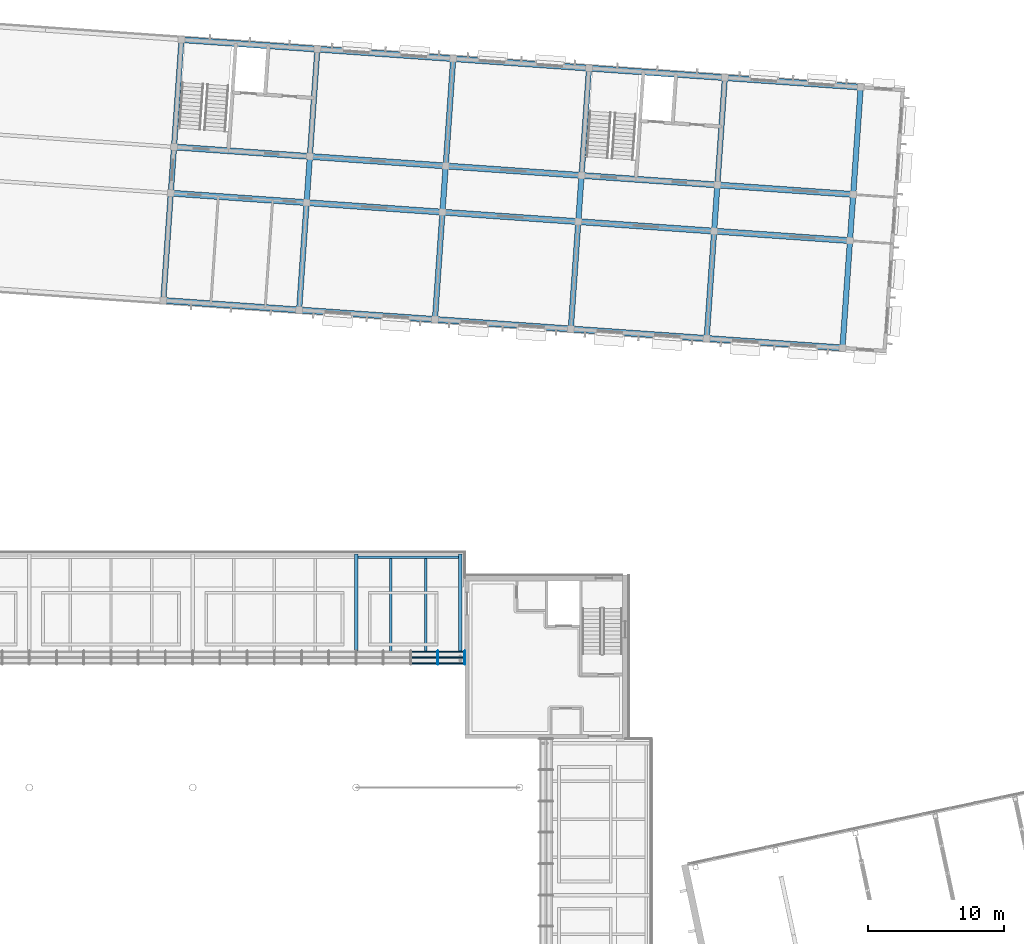
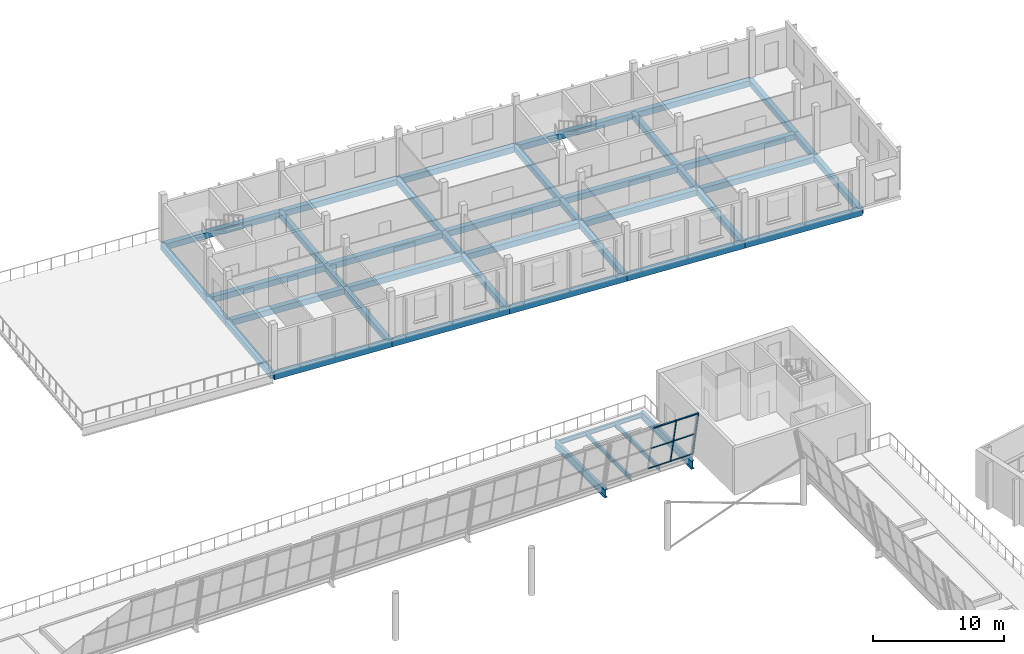
# One storey, part 22 of 58: 43 beams, 8 members, 1 element without a shape of its own.
"""IFC4 building model written with IfcOpenShell, lengths in metres."""

from ifc_helpers import new_model, si_unit, direction, frame, origin, origin_2d, place, context, subcontext, project, spatial, rectangle, i_section, extrude, material, layer, layer_set, material_profile, profile_set, type_object, element, aggregate, save


model = new_model("IFC4")

# Units and contexts
model_context = context("Model", 3, precision=1e-05, world=origin(), true_north=direction((0.0, 1.0)))
body_context = subcontext(model_context, "Body", "Model", "MODEL_VIEW")
ifc_project = project(units=[si_unit("LENGTHUNIT", "METRE"), si_unit("AREAUNIT", "SQUARE_METRE"), si_unit("VOLUMEUNIT", "CUBIC_METRE"), si_unit("PLANEANGLEUNIT", "RADIAN"), si_unit("MASSUNIT", "GRAM", prefix="KILO")], contexts=[model_context])

# Site, building, storey
site_placement = place(None, origin())
site = spatial("IfcSite", under=ifc_project, at=site_placement, CompositionType="ELEMENT")
building_placement = place(site_placement, origin())
building = spatial("IfcBuilding", under=site, at=building_placement, Name="Windward Yard Aquatics Centre", CompositionType="ELEMENT")
storey_placement = place(building_placement, frame((0.0, 0.0, 13.800048828125)))
storey = spatial("IfcBuildingStorey", under=building, at=storey_placement, Name="L03", CompositionType="ELEMENT", Elevation=13.800048828125)

# Curtain wall, members
ifc_material_1 = material(Name="Glass and aluminium curtain wall", Category="aluminium")
ifc_layer = layer(ifc_material_1, 0.179931640625)
ifc_layer_set = layer_set([ifc_layer], Name="H curtain wall tier 2 double glazed 6+16+6")
curtain_wall_type = type_object("IfcCurtainWallType", Name="H curtain wall tier 2 double glazed 6+16+6", PredefinedType="NOTDEFINED", material=ifc_layer_set)
curtain_wall_placement = place(storey_placement, origin())
curtain_wall = element("IfcCurtainWall", 1, at=curtain_wall_placement, inside=storey, type_object=curtain_wall_type, Name="Tier 2 glazing N L03", PredefinedType="NOTDEFINED")
ifc_material_2 = material(Name="Aluminium 6063-T6 anodised", Category="aluminium")
ifc_material_profile_1 = material_profile(ifc_material_2, rectangle(XDim=0.06494140625, YDim=0.179931640625, at=origin_2d()), Name="H CW mullion 65x180")
ifc_profile_set_1 = profile_set([ifc_material_profile_1], Name="Aluminium 6063-T6 anodised")
member_type_1 = type_object("IfcMemberType", Name="H CW mullion 65x180", PredefinedType="MULLION", material=ifc_profile_set_1)
member_1_placement = place(storey_placement, frame((138.000244140625, 90.38623046875, 0.017822265625), z_axis=(0.0, -0.199327811945, 0.979932866775), x_axis=(1.0, 0.0, 0.0)))
member_1 = element("IfcMember", 2, at=member_1_placement, type_object=member_type_1, Name="G2NB mullion 19", PredefinedType="MULLION", context=body_context, shape_type="SweptSolid", body=[
    extrude(rectangle(XDim=0.06494140625, YDim=0.179931640625, at=origin_2d()), origin(), (0.0, 0.0, 1.0), 4.471923828125),
])
member_2_placement = place(storey_placement, frame((139.967529296875, 90.38623046875, 0.017822265625), z_axis=(0.0, -0.199327811945, 0.979932866775), x_axis=(1.0, 0.0, 0.0)))
member_2 = element("IfcMember", 3, at=member_2_placement, type_object=member_type_1, Name="G2NB mullion 20", PredefinedType="MULLION", context=body_context, shape_type="SweptSolid", body=[
    extrude(rectangle(XDim=0.06494140625, YDim=0.179931640625, at=origin_2d()), origin(), (0.0, 0.0, 1.0), 4.471923828125),
])
ifc_material_profile_2 = material_profile(ifc_material_2, rectangle(XDim=0.06494140625, YDim=0.10009765625, at=origin_2d()), Name="H CW transom 65x100")
ifc_profile_set_2 = profile_set([ifc_material_profile_2], Name="Aluminium 6063-T6 anodised")
member_type_2 = type_object("IfcMemberType", Name="H CW transom 65x100", PredefinedType="USERDEFINED", material=ifc_profile_set_2)
member_3_placement = place(storey_placement, frame((136.032958984375, 90.378662109375, 0.055419921875), z_axis=(1.0, 0.0, 0.0), x_axis=(0.0, 0.979924704642, 0.199367934315)))
member_3 = element("IfcMember", 4, at=member_3_placement, type_object=member_type_2, Name="G2NB transom 18.1", ObjectType="TRANSOM", PredefinedType="USERDEFINED", context=body_context, shape_type="SweptSolid", body=[
    extrude(rectangle(XDim=0.06494140625, YDim=0.10009765625, at=origin_2d()), origin(), (0.0, 0.0, 1.0), 1.934814453125),
])
member_4_placement = place(storey_placement, frame((136.032958984375, 89.9423828125, 2.199951171875), z_axis=(1.0, 0.0, 0.0), x_axis=(0.0, 0.979924704642, 0.199367934315)))
member_4 = element("IfcMember", 5, at=member_4_placement, type_object=member_type_2, Name="G2NB transom 18.2", ObjectType="TRANSOM", PredefinedType="USERDEFINED", context=body_context, shape_type="SweptSolid", body=[
    extrude(rectangle(XDim=0.06494140625, YDim=0.10009765625, at=origin_2d()), origin(), (0.0, 0.0, 1.0), 1.934814453125),
])
member_5_placement = place(storey_placement, frame((136.032958984375, 89.5048828125, 4.35107421875), z_axis=(1.0, 0.0, 0.0), x_axis=(0.0, 0.979924704642, 0.199367934315)))
member_5 = element("IfcMember", 6, at=member_5_placement, type_object=member_type_2, Name="G2NB transom 18.3", ObjectType="TRANSOM", PredefinedType="USERDEFINED", context=body_context, shape_type="SweptSolid", body=[
    extrude(rectangle(XDim=0.06494140625, YDim=0.10009765625, at=origin_2d()), origin(), (0.0, 0.0, 1.0), 1.934814453125),
])
member_6_placement = place(storey_placement, frame((138.03271484375, 90.378662109375, 0.055419921875), z_axis=(1.0, 0.0, 0.0), x_axis=(0.0, 0.979924704642, 0.199367934315)))
member_6 = element("IfcMember", 7, at=member_6_placement, type_object=member_type_2, Name="G2NB transom 19.1", ObjectType="TRANSOM", PredefinedType="USERDEFINED", context=body_context, shape_type="SweptSolid", body=[
    extrude(rectangle(XDim=0.06494140625, YDim=0.10009765625, at=origin_2d()), origin(), (0.0, 0.0, 1.0), 1.90234375),
])
member_7_placement = place(storey_placement, frame((138.03271484375, 89.9423828125, 2.199951171875), z_axis=(1.0, 0.0, 0.0), x_axis=(0.0, 0.979924704642, 0.199367934315)))
member_7 = element("IfcMember", 8, at=member_7_placement, type_object=member_type_2, Name="G2NB transom 19.2", ObjectType="TRANSOM", PredefinedType="USERDEFINED", context=body_context, shape_type="SweptSolid", body=[
    extrude(rectangle(XDim=0.06494140625, YDim=0.10009765625, at=origin_2d()), origin(), (0.0, 0.0, 1.0), 1.90234375),
])
member_8_placement = place(storey_placement, frame((138.03271484375, 89.5048828125, 4.35107421875), z_axis=(1.0, 0.0, 0.0), x_axis=(0.0, 0.979924704642, 0.199367934315)))
member_8 = element("IfcMember", 9, at=member_8_placement, type_object=member_type_2, Name="G2NB transom 19.3", ObjectType="TRANSOM", PredefinedType="USERDEFINED", context=body_context, shape_type="SweptSolid", body=[
    extrude(rectangle(XDim=0.06494140625, YDim=0.10009765625, at=origin_2d()), origin(), (0.0, 0.0, 1.0), 1.90234375),
])
aggregate(curtain_wall, [member_1, member_2, member_3, member_4, member_5, member_6, member_7, member_8])

# Beams
ifc_material_3 = material(Name="Steel ASTM A992 Gr 50", Category="steel")
ifc_material_profile_3 = material_profile(ifc_material_3, i_section(OverallWidth=0.177978515625, OverallDepth=0.406005859375, WebThickness=0.0078125, FlangeThickness=0.0126953125, at=origin_2d()), Name="W410X60")
ifc_profile_set_3 = profile_set([ifc_material_profile_3], Name="Steel ASTM A992 Gr 50")
beam_type_1 = type_object("IfcBeamType", Name="H terrace secondary beam W410X60", PredefinedType="BEAM", material=ifc_profile_set_3)
beam_1_placement = place(storey_placement, frame((132.133544921875, 97.301025390625, -0.35302734375), z_axis=(1.0, 0.0, 0.0), x_axis=(0.0, 1.0, 0.0)))
element("IfcBeam", 10, at=beam_1_placement, inside=storey, type_object=beam_type_1, Name="H.T1E.N7.O", PredefinedType="BEAM", context=body_context, shape_type="SweptSolid", body=[
    extrude(i_section(OverallWidth=0.177978515625, OverallDepth=0.406005859375, WebThickness=0.0078125, FlangeThickness=0.0126953125, at=origin_2d()), origin(), (0.0, 0.0, 1.0), 7.383056640625),
])
for number, where, z_axis, x_axis, name in (
    (11, (134.550048828125, 97.2119140625, -0.35302734375), (0.0, -1.0, 0.0), (1.0, 0.0, 0.0), "H.T1S.N7.1"),
    (12, (137.10009765625, 97.2119140625, -0.35302734375), (0.0, -1.0, 0.0), (1.0, 0.0, 0.0), "H.T1S.N7.2"),
):
    element("IfcBeam", number, at=place(storey_placement, frame(where, z_axis=z_axis, x_axis=x_axis)), inside=storey, type_object=beam_type_1, Name=name, PredefinedType="BEAM", context=body_context, shape_type="SweptSolid", body=[
        extrude(i_section(OverallWidth=0.177978515625, OverallDepth=0.406005859375, WebThickness=0.0078125, FlangeThickness=0.0126953125, at=origin_2d()), origin(), (0.0, 0.0, 1.0), 6.83251953125),
    ])
ifc_material_profile_4 = material_profile(ifc_material_3, i_section(OverallWidth=0.26708984375, OverallDepth=0.75390625, WebThickness=0.01318359375, FlangeThickness=0.01708984375, at=origin_2d()), Name="W760X147")
ifc_profile_set_4 = profile_set([ifc_material_profile_4], Name="Steel ASTM A992 Gr 50")
beam_type_2 = type_object("IfcBeamType", Name="H terrace transfer girder W760X147", PredefinedType="BEAM", material=ifc_profile_set_4)
for number, where, z_axis, x_axis, name in (
    (13, (132.0, 97.551025390625, -0.527099609375), (0.0, -1.0, 0.0), (1.0, 0.0, 0.0), "H.T1B.N7"),
    (14, (139.64990234375, 97.551025390625, -0.527099609375), (0.0, -1.0, 0.0), (1.0, 0.0, 0.0), "H.T1B.N8"),
):
    element("IfcBeam", number, at=place(storey_placement, frame(where, z_axis=z_axis, x_axis=x_axis)), inside=storey, type_object=beam_type_2, Name=name, PredefinedType="BEAM", context=body_context, shape_type="SweptSolid", body=[
        extrude(i_section(OverallWidth=0.26708984375, OverallDepth=0.75390625, WebThickness=0.01318359375, FlangeThickness=0.01708984375, at=origin_2d()), origin(), (0.0, 0.0, 1.0), 7.766357421875),
    ])
ifc_material_4 = material(Name="Concrete C40/50", Category="concrete")
ifc_material_profile_5 = material_profile(ifc_material_4, rectangle(XDim=0.39990234375, YDim=0.550048828125, at=origin_2d()), Name="RC 400x550")
ifc_profile_set_5 = profile_set([ifc_material_profile_5], Name="Concrete C40/50")
beam_type_3 = type_object("IfcBeamType", Name="W RC 400x550 beam Concrete C40/50", PredefinedType="BEAM", material=ifc_profile_set_5)
beam_2_placement = place(storey_placement, frame((117.8388671875, 116.16748046875, -0.554931640625), z_axis=(0.0697491702, 0.997564560947, 0.0), x_axis=(-0.997564560947, 0.0697491702, 0.0)))
element("IfcBeam", 15, at=beam_2_placement, inside=storey, type_object=beam_type_3, Name="W.BV.L03.2.A", PredefinedType="BEAM", context=body_context, shape_type="SweptSolid", body=[
    extrude(rectangle(XDim=0.39990234375, YDim=0.550048828125, at=origin_2d()), origin(), (0.0, 0.0, 1.0), 7.900146484375),
])
beam_3_placement = place(storey_placement, frame((118.389892578125, 124.04833984375, -0.554931640625), z_axis=(0.069797686069, 0.997561167558, 0.0), x_axis=(-0.997561167558, 0.069797686069, 0.0)))
element("IfcBeam", 16, at=beam_3_placement, inside=storey, type_object=beam_type_3, Name="W.BV.L03.2.B", PredefinedType="BEAM", context=body_context, shape_type="SweptSolid", body=[
    extrude(rectangle(XDim=0.39990234375, YDim=0.550048828125, at=origin_2d()), origin(), (0.0, 0.0, 1.0), 3.39990234375),
])
beam_4_placement = place(storey_placement, frame((118.627197265625, 127.43994140625, -0.554931640625), z_axis=(0.0697491702, 0.997564560947, 0.0), x_axis=(-0.997564560947, 0.0697491702, 0.0)))
element("IfcBeam", 17, at=beam_4_placement, inside=storey, type_object=beam_type_3, Name="W.BV.L03.2.C", PredefinedType="BEAM", context=body_context, shape_type="SweptSolid", body=[
    extrude(rectangle(XDim=0.39990234375, YDim=0.550048828125, at=origin_2d()), origin(), (0.0, 0.0, 1.0), 7.900146484375),
])
beam_5_placement = place(storey_placement, frame((127.814453125, 115.469970703125, -0.554931640625), z_axis=(0.069751320509, 0.997564410596, 0.0), x_axis=(-0.997564410596, 0.069751320509, 0.0)))
element("IfcBeam", 18, at=beam_5_placement, inside=storey, type_object=beam_type_3, Name="W.BV.L03.3.A", PredefinedType="BEAM", context=body_context, shape_type="SweptSolid", body=[
    extrude(rectangle(XDim=0.39990234375, YDim=0.550048828125, at=origin_2d()), origin(), (0.0, 0.0, 1.0), 7.89990234375),
])
beam_6_placement = place(storey_placement, frame((128.365478515625, 123.3505859375, -0.554931640625), z_axis=(0.069792686595, 0.99756151735, 0.0), x_axis=(-0.99756151735, 0.069792686595, 0.0)))
element("IfcBeam", 19, at=beam_6_placement, inside=storey, type_object=beam_type_3, Name="W.BV.L03.3.B", PredefinedType="BEAM", context=body_context, shape_type="SweptSolid", body=[
    extrude(rectangle(XDim=0.39990234375, YDim=0.550048828125, at=origin_2d()), origin(), (0.0, 0.0, 1.0), 3.400146484375),
])
for number, where, z_axis, x_axis, name in (
    (20, (128.602783203125, 126.742431640625, -0.554931640625), (0.0697491702, 0.997564560947, 0.0), (-0.997564560947, 0.0697491702, 0.0), "W.BV.L03.3.C"),
    (21, (137.7900390625, 114.7724609375, -0.554931640625), (0.069779923244, 0.997562410234, 0.0), (-0.997562410234, 0.069779923244, 0.0), "W.BV.L03.4.A"),
):
    element("IfcBeam", number, at=place(storey_placement, frame(where, z_axis=z_axis, x_axis=x_axis)), inside=storey, type_object=beam_type_3, Name=name, PredefinedType="BEAM", context=body_context, shape_type="SweptSolid", body=[
        extrude(rectangle(XDim=0.39990234375, YDim=0.550048828125, at=origin_2d()), origin(), (0.0, 0.0, 1.0), 7.900146484375),
    ])
beam_7_placement = place(storey_placement, frame((138.34130859375, 122.6533203125, -0.554931640625), z_axis=(0.069726227042, 0.997566164854, 0.0), x_axis=(-0.997566164854, 0.069726227042, 0.0)))
element("IfcBeam", 22, at=beam_7_placement, inside=storey, type_object=beam_type_3, Name="W.BV.L03.4.B", PredefinedType="BEAM", context=body_context, shape_type="SweptSolid", body=[
    extrude(rectangle(XDim=0.39990234375, YDim=0.550048828125, at=origin_2d()), origin(), (0.0, 0.0, 1.0), 3.39990234375),
])
beam_8_placement = place(storey_placement, frame((138.578369140625, 126.044921875, -0.554931640625), z_axis=(0.069751320509, 0.997564410596, 0.0), x_axis=(-0.997564410596, 0.069751320509, 0.0)))
element("IfcBeam", 23, at=beam_8_placement, inside=storey, type_object=beam_type_3, Name="W.BV.L03.4.C", PredefinedType="BEAM", context=body_context, shape_type="SweptSolid", body=[
    extrude(rectangle(XDim=0.39990234375, YDim=0.550048828125, at=origin_2d()), origin(), (0.0, 0.0, 1.0), 7.89990234375),
])
beam_9_placement = place(storey_placement, frame((147.765869140625, 114.07470703125, -0.554931640625), z_axis=(0.0697491702, 0.997564560947, 0.0), x_axis=(-0.997564560947, 0.0697491702, 0.0)))
element("IfcBeam", 24, at=beam_9_placement, inside=storey, type_object=beam_type_3, Name="W.BV.L03.5.A", PredefinedType="BEAM", context=body_context, shape_type="SweptSolid", body=[
    extrude(rectangle(XDim=0.39990234375, YDim=0.550048828125, at=origin_2d()), origin(), (0.0, 0.0, 1.0), 7.900146484375),
])
beam_10_placement = place(storey_placement, frame((148.31689453125, 121.95556640625, -0.554931640625), z_axis=(0.069721232637, 0.997566513933, 0.0), x_axis=(-0.997566513933, 0.069721232637, 0.0)))
element("IfcBeam", 25, at=beam_10_placement, inside=storey, type_object=beam_type_3, Name="W.BV.L03.5.B", PredefinedType="BEAM", context=body_context, shape_type="SweptSolid", body=[
    extrude(rectangle(XDim=0.39990234375, YDim=0.550048828125, at=origin_2d()), origin(), (0.0, 0.0, 1.0), 3.400146484375),
])
beam_11_placement = place(storey_placement, frame((148.553955078125, 125.347412109375, -0.554931640625), z_axis=(0.069751320509, 0.997564410596, 0.0), x_axis=(-0.997564410596, 0.069751320509, 0.0)))
element("IfcBeam", 26, at=beam_11_placement, inside=storey, type_object=beam_type_3, Name="W.BV.L03.5.C", PredefinedType="BEAM", context=body_context, shape_type="SweptSolid", body=[
    extrude(rectangle(XDim=0.39990234375, YDim=0.550048828125, at=origin_2d()), origin(), (0.0, 0.0, 1.0), 7.89990234375),
])
beam_12_placement = place(storey_placement, frame((157.741455078125, 113.377197265625, -0.554931640625), z_axis=(0.0697491702, 0.997564560947, 0.0), x_axis=(-0.997564560947, 0.0697491702, 0.0)))
element("IfcBeam", 27, at=beam_12_placement, inside=storey, type_object=beam_type_3, Name="W.BV.L03.6.A", PredefinedType="BEAM", context=body_context, shape_type="SweptSolid", body=[
    extrude(rectangle(XDim=0.39990234375, YDim=0.550048828125, at=origin_2d()), origin(), (0.0, 0.0, 1.0), 7.900146484375),
])
beam_13_placement = place(storey_placement, frame((158.29248046875, 121.258056640625, -0.554931640625), z_axis=(0.069797686069, 0.997561167558, 0.0), x_axis=(-0.997561167558, 0.069797686069, 0.0)))
element("IfcBeam", 28, at=beam_13_placement, inside=storey, type_object=beam_type_3, Name="W.BV.L03.6.B", PredefinedType="BEAM", context=body_context, shape_type="SweptSolid", body=[
    extrude(rectangle(XDim=0.39990234375, YDim=0.550048828125, at=origin_2d()), origin(), (0.0, 0.0, 1.0), 3.39990234375),
])
for number, where, z_axis, x_axis, name in (
    (29, (158.52978515625, 124.649658203125, -0.554931640625), (0.0697491702, 0.997564560947, 0.0), (-0.997564560947, 0.0697491702, 0.0), "W.BV.L03.6.C"),
    (30, (167.717041015625, 112.6796875, -0.554931640625), (0.0697491702, 0.997564560947, 0.0), (-0.997564560947, 0.0697491702, 0.0), "W.BV.L03.7.A"),
):
    element("IfcBeam", number, at=place(storey_placement, frame(where, z_axis=z_axis, x_axis=x_axis)), inside=storey, type_object=beam_type_3, Name=name, PredefinedType="BEAM", context=body_context, shape_type="SweptSolid", body=[
        extrude(rectangle(XDim=0.39990234375, YDim=0.550048828125, at=origin_2d()), origin(), (0.0, 0.0, 1.0), 7.900146484375),
    ])
beam_14_placement = place(storey_placement, frame((168.26806640625, 120.560546875, -0.554931640625), z_axis=(0.069797686069, 0.997561167558, 0.0), x_axis=(-0.997561167558, 0.069797686069, 0.0)))
element("IfcBeam", 31, at=beam_14_placement, inside=storey, type_object=beam_type_3, Name="W.BV.L03.7.B", PredefinedType="BEAM", context=body_context, shape_type="SweptSolid", body=[
    extrude(rectangle(XDim=0.39990234375, YDim=0.550048828125, at=origin_2d()), origin(), (0.0, 0.0, 1.0), 3.39990234375),
])
beam_15_placement = place(storey_placement, frame((168.50537109375, 123.9521484375, -0.554931640625), z_axis=(0.0697491702, 0.997564560947, 0.0), x_axis=(-0.997564560947, 0.0697491702, 0.0)))
element("IfcBeam", 32, at=beam_15_placement, inside=storey, type_object=beam_type_3, Name="W.BV.L03.7.C", PredefinedType="BEAM", context=body_context, shape_type="SweptSolid", body=[
    extrude(rectangle(XDim=0.39990234375, YDim=0.550048828125, at=origin_2d()), origin(), (0.0, 0.0, 1.0), 7.900146484375),
])
ifc_material_profile_6 = material_profile(ifc_material_4, rectangle(XDim=0.449951171875, YDim=0.550048828125, at=origin_2d()), Name="RC 450x550")
ifc_profile_set_6 = profile_set([ifc_material_profile_6], Name="Concrete C40/50")
beam_type_4 = type_object("IfcBeamType", Name="W RC 450x550 beam Concrete C40/50", PredefinedType="BEAM", material=ifc_profile_set_6)
for number, where, z_axis, x_axis, name in (
    (33, (117.8388671875, 116.16748046875, -0.554931640625), (0.997564406228, -0.069751382981, 0.0), (0.069751382981, 0.997564406228, 0.0), "W.BU.L03.1.2"),
    (34, (127.814453125, 115.469970703125, -0.554931640625), (0.997564406228, -0.069751382981, 0.0), (0.069751382981, 0.997564406228, 0.0), "W.BU.L03.1.3"),
):
    element("IfcBeam", number, at=place(storey_placement, frame(where, z_axis=z_axis, x_axis=x_axis)), inside=storey, type_object=beam_type_4, Name=name, PredefinedType="BEAM", context=body_context, shape_type="SweptSolid", body=[
        extrude(rectangle(XDim=0.449951171875, YDim=0.550048828125, at=origin_2d()), origin(), (0.0, 0.0, 1.0), 10.0),
    ])
beam_16_placement = place(storey_placement, frame((137.7900390625, 114.7724609375, -0.554931640625), z_axis=(0.997562826017, -0.069773979021, 0.0), x_axis=(0.069773979021, 0.997562826017, 0.0)))
element("IfcBeam", 35, at=beam_16_placement, inside=storey, type_object=beam_type_4, Name="W.BU.L03.1.4", PredefinedType="BEAM", context=body_context, shape_type="SweptSolid", body=[
    extrude(rectangle(XDim=0.449951171875, YDim=0.550048828125, at=origin_2d()), origin(), (0.0, 0.0, 1.0), 10.000244140625),
])
for number, where, z_axis, x_axis, name in (
    (36, (147.765869140625, 114.07470703125, -0.554931640625), (0.997564406228, -0.069751382981, 0.0), (0.069751382981, 0.997564406228, 0.0), "W.BU.L03.1.5"),
    (37, (157.741455078125, 113.377197265625, -0.554931640625), (0.997564406228, -0.069751382981, 0.0), (0.069751382981, 0.997564406228, 0.0), "W.BU.L03.1.6"),
    (38, (118.389892578125, 124.04833984375, -0.554931640625), (0.997562707158, -0.069775678342, 0.0), (0.069775678342, 0.997562707158, 0.0), "W.BU.L03.2.2"),
):
    element("IfcBeam", number, at=place(storey_placement, frame(where, z_axis=z_axis, x_axis=x_axis)), inside=storey, type_object=beam_type_4, Name=name, PredefinedType="BEAM", context=body_context, shape_type="SweptSolid", body=[
        extrude(rectangle(XDim=0.449951171875, YDim=0.550048828125, at=origin_2d()), origin(), (0.0, 0.0, 1.0), 10.0),
    ])
beam_17_placement = place(storey_placement, frame((128.365478515625, 123.3505859375, -0.554931640625), z_axis=(0.997566223406, -0.069725389346, 0.0), x_axis=(0.069725389346, 0.997566223406, 0.0)))
element("IfcBeam", 39, at=beam_17_placement, inside=storey, type_object=beam_type_4, Name="W.BU.L03.2.3", PredefinedType="BEAM", context=body_context, shape_type="SweptSolid", body=[
    extrude(rectangle(XDim=0.449951171875, YDim=0.550048828125, at=origin_2d()), origin(), (0.0, 0.0, 1.0), 10.000244140625),
])
for number, where, z_axis, x_axis, name in (
    (40, (138.34130859375, 122.6533203125, -0.554931640625), (0.997562707158, -0.069775678342, 0.0), (0.069775678342, 0.997562707158, 0.0), "W.BU.L03.2.4"),
    (41, (148.31689453125, 121.95556640625, -0.554931640625), (0.997564406228, -0.069751382981, 0.0), (0.069751382981, 0.997564406228, 0.0), "W.BU.L03.2.5"),
    (42, (158.29248046875, 121.258056640625, -0.554931640625), (0.997564406228, -0.069751382981, 0.0), (0.069751382981, 0.997564406228, 0.0), "W.BU.L03.2.6"),
    (43, (118.627197265625, 127.43994140625, -0.554931640625), (0.997564406228, -0.069751382981, 0.0), (0.069751382981, 0.997564406228, 0.0), "W.BU.L03.3.2"),
    (44, (128.602783203125, 126.742431640625, -0.554931640625), (0.997564406228, -0.069751382981, 0.0), (0.069751382981, 0.997564406228, 0.0), "W.BU.L03.3.3"),
    (45, (138.578369140625, 126.044921875, -0.554931640625), (0.997564406228, -0.069751382981, 0.0), (0.069751382981, 0.997564406228, 0.0), "W.BU.L03.3.4"),
):
    element("IfcBeam", number, at=place(storey_placement, frame(where, z_axis=z_axis, x_axis=x_axis)), inside=storey, type_object=beam_type_4, Name=name, PredefinedType="BEAM", context=body_context, shape_type="SweptSolid", body=[
        extrude(rectangle(XDim=0.449951171875, YDim=0.550048828125, at=origin_2d()), origin(), (0.0, 0.0, 1.0), 10.0),
    ])
beam_18_placement = place(storey_placement, frame((148.553955078125, 125.347412109375, -0.554931640625), z_axis=(0.997562826017, -0.069773979021, 0.0), x_axis=(0.069773979021, 0.997562826017, 0.0)))
element("IfcBeam", 46, at=beam_18_placement, inside=storey, type_object=beam_type_4, Name="W.BU.L03.3.5", PredefinedType="BEAM", context=body_context, shape_type="SweptSolid", body=[
    extrude(rectangle(XDim=0.449951171875, YDim=0.550048828125, at=origin_2d()), origin(), (0.0, 0.0, 1.0), 10.000244140625),
])
for number, where, z_axis, x_axis, name in (
    (47, (158.52978515625, 124.649658203125, -0.554931640625), (0.997564406228, -0.069751382981, 0.0), (0.069751382981, 0.997564406228, 0.0), "W.BU.L03.3.6"),
    (48, (119.17822265625, 135.32080078125, -0.554931640625), (0.997564406228, -0.069751382981, 0.0), (0.069751382981, 0.997564406228, 0.0), "W.BU.L03.4.2"),
    (49, (129.15380859375, 134.623291015625, -0.554931640625), (0.997562707158, -0.069775678342, 0.0), (0.069775678342, 0.997562707158, 0.0), "W.BU.L03.4.3"),
    (50, (139.12939453125, 133.925537109375, -0.554931640625), (0.997564406228, -0.069751382981, 0.0), (0.069751382981, 0.997564406228, 0.0), "W.BU.L03.4.4"),
):
    element("IfcBeam", number, at=place(storey_placement, frame(where, z_axis=z_axis, x_axis=x_axis)), inside=storey, type_object=beam_type_4, Name=name, PredefinedType="BEAM", context=body_context, shape_type="SweptSolid", body=[
        extrude(rectangle(XDim=0.449951171875, YDim=0.550048828125, at=origin_2d()), origin(), (0.0, 0.0, 1.0), 10.0),
    ])
beam_19_placement = place(storey_placement, frame((149.10498046875, 133.22802734375, -0.554931640625), z_axis=(0.997564525005, -0.069749684245, 0.0), x_axis=(0.069749684245, 0.997564525005, 0.0)))
element("IfcBeam", 51, at=beam_19_placement, inside=storey, type_object=beam_type_4, Name="W.BU.L03.4.5", PredefinedType="BEAM", context=body_context, shape_type="SweptSolid", body=[
    extrude(rectangle(XDim=0.449951171875, YDim=0.550048828125, at=origin_2d()), origin(), (0.0, 0.0, 1.0), 10.000244140625),
])
beam_20_placement = place(storey_placement, frame((159.080810546875, 132.530517578125, -0.554931640625), z_axis=(0.997564406228, -0.069751382981, 0.0), x_axis=(0.069751382981, 0.997564406228, 0.0)))
element("IfcBeam", 52, at=beam_20_placement, inside=storey, type_object=beam_type_4, Name="W.BU.L03.4.6", PredefinedType="BEAM", context=body_context, shape_type="SweptSolid", body=[
    extrude(rectangle(XDim=0.449951171875, YDim=0.550048828125, at=origin_2d()), origin(), (0.0, 0.0, 1.0), 10.0),
])

save(model, "model.ifc")
